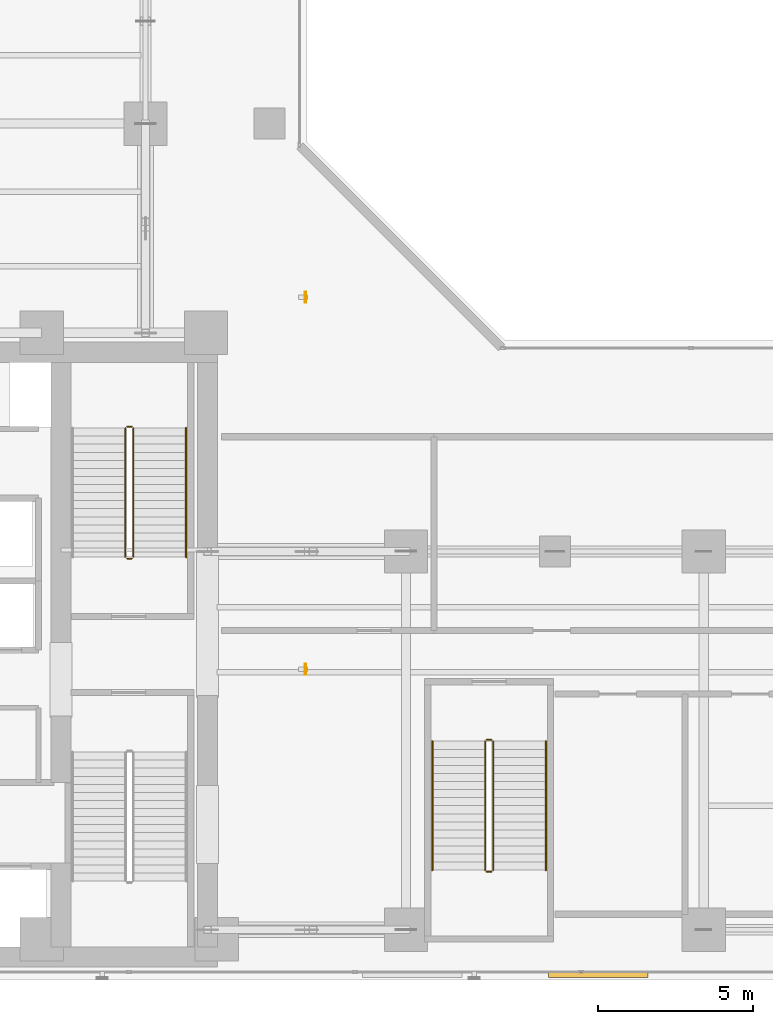
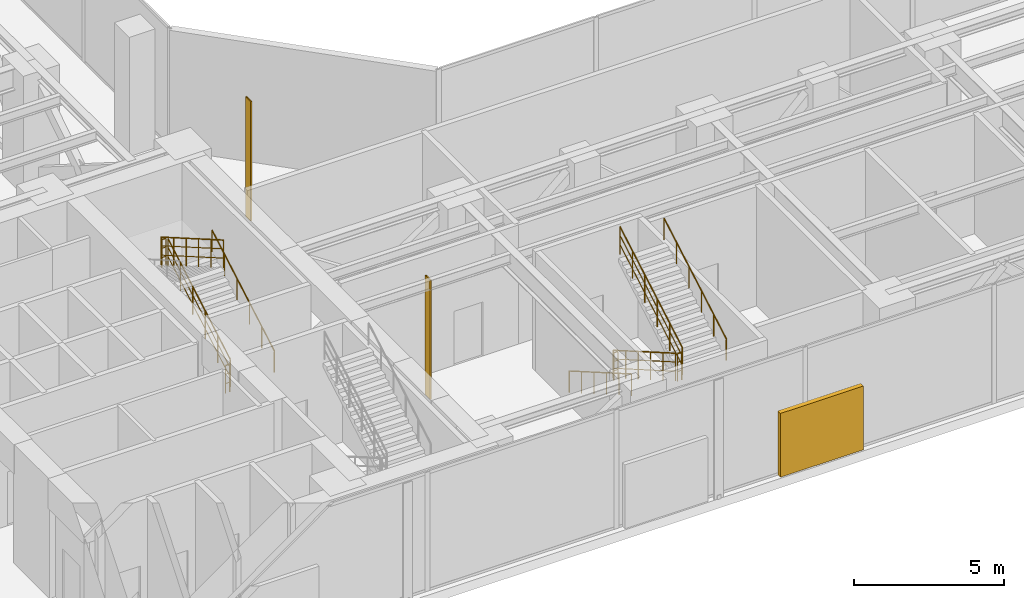
# One storey, part 36 of 37: 11 railings, 3 shading devices.
"""IFC4 building model written with IfcOpenShell, lengths in metres."""

from ifc_helpers import new_model, si_unit, direction, frame, origin, origin_with_axes, origin_2d, place, context, subcontext, project, spatial, rectangle, hollow_rectangle, circle, extrude, source, transform, mapped, material, material_profile, profile_set, type_object, element, save


model = new_model("IFC4")

# Units and contexts
model_context = context("Model", 3, precision=1e-05, world=origin(), true_north=direction((0.0, 1.0)))
body_context = subcontext(model_context, "Body", "Model", "MODEL_VIEW")
ifc_project = project(units=[si_unit("LENGTHUNIT", "METRE"), si_unit("AREAUNIT", "SQUARE_METRE"), si_unit("VOLUMEUNIT", "CUBIC_METRE"), si_unit("PLANEANGLEUNIT", "RADIAN"), si_unit("MASSUNIT", "GRAM", prefix="KILO")], contexts=[model_context])

# Site, building, storey
site_placement = place(None, origin())
site = spatial("IfcSite", under=ifc_project, at=site_placement, CompositionType="ELEMENT")
building_placement = place(site_placement, origin())
building = spatial("IfcBuilding", under=site, at=building_placement, Name="Kolvaren Waterfront Exchange", CompositionType="ELEMENT")
storey_placement = place(building_placement, frame((0.0, 0.0, 141.10009765625)))
storey = spatial("IfcBuildingStorey", under=building, at=storey_placement, Name="L36", CompositionType="ELEMENT", Elevation=141.10009765625)

# Shading devices
ifc_material_1 = material(Name="Anodised bronze aluminium 6063-T6", Category="aluminium")
ifc_material_profile = material_profile(ifc_material_1, hollow_rectangle(XDim=0.06005859375, YDim=0.35009765625, WallThickness=0.0048828125, at=origin_2d()), Name="BRZ-FIN-350x60x5")
ifc_profile_set = profile_set([ifc_material_profile], Name="Anodised bronze aluminium 6063-T6")
shading_device_type_1 = type_object("IfcShadingDeviceType", Name="ARC-FIN-350", PredefinedType="USERDEFINED", material=ifc_profile_set)
for number, where, z_axis, x_axis, name in (
    (1, (23.9599609375, 13.60009765625, 0.0), (0.0, 0.0, 1.0), (1.0, 0.0, 0.0), "L36 anodised bronze solar shading fin FIN-L36-E1"),
    (2, (23.9599609375, 25.60009765625, 0.0), (0.0, 0.0, 1.0), (1.0, 0.0, 0.0), "L36 anodised bronze solar shading fin FIN-L36-E2"),
):
    element("IfcShadingDevice", number, at=place(storey_placement, frame(where, z_axis=z_axis, x_axis=x_axis)), inside=storey, type_object=shading_device_type_1, Name=name, ObjectType="SOLAR FIN", PredefinedType="USERDEFINED", context=body_context, shape_type="SweptSolid", body=[
        extrude(hollow_rectangle(XDim=0.06005859375, YDim=0.35009765625, WallThickness=0.0048828125, at=origin_2d()), origin(), (0.0, 0.0, 1.0), 4.85986328125),
    ])

# Railings
ifc_material_2 = material(Name="Stainless steel 316", Category="steel")
railing_type_1 = type_object("IfcRailingType", Name="ARC-GUARD-STAIR", PredefinedType="GUARDRAIL", material=ifc_material_2)
railing_1_placement = place(storey_placement, frame((18.409912109375, 17.219970703125, 0.14990234375)))
element("IfcRailing", 3, at=railing_1_placement, inside=storey, type_object=railing_type_1, Name="L36 ST2 stair guard 1", PredefinedType="GUARDRAIL", context=body_context, shape_type="SweptSolid", body=[
    extrude(circle(Radius=0.02392578125, at=origin_2d()), frame((0.0, 0.0, 1.1259765625), z_axis=(0.0, 0.866189817626, 0.499715118684), x_axis=(-1.0, 0.0, 0.0)), (0.0, 0.0, 1.0), 4.802490234375),
    extrude(circle(Radius=0.01611328125, at=origin_2d()), frame((0.0, 0.0, 0.390869140625), z_axis=(0.0, 0.866189817626, 0.499715118684), x_axis=(-1.0, 0.0, 0.0)), (0.0, 0.0, 1.0), 4.802490234375),
    extrude(circle(Radius=0.01611328125, at=origin_2d()), frame((0.0, 0.0, 0.7705078125), z_axis=(0.0, 0.866189817626, 0.499715118684), x_axis=(-1.0, 0.0, 0.0)), (0.0, 0.0, 1.0), 4.802490234375),
    extrude(circle(Radius=0.02099609375, at=origin_2d()), origin(), (0.0, 0.0, 1.0), 1.101806640625),
    extrude(circle(Radius=0.02099609375, at=origin_2d()), frame((0.0, 0.83203125, 0.47998046875)), (0.0, 0.0, 1.0), 1.101806640625),
    extrude(circle(Radius=0.02099609375, at=origin_2d()), frame((0.0, 1.6640625, 0.9599609375)), (0.0, 0.0, 1.0), 1.101806640625),
    extrude(circle(Radius=0.02099609375, at=origin_2d()), frame((0.0, 2.495849609375, 1.43994140625)), (0.0, 0.0, 1.0), 1.101806640625),
    extrude(circle(Radius=0.02099609375, at=origin_2d()), frame((0.0, 3.327880859375, 1.919921875)), (0.0, 0.0, 1.0), 1.101806640625),
    extrude(circle(Radius=0.02099609375, at=origin_2d()), frame((0.0, 4.159912109375, 2.39990234375)), (0.0, 0.0, 1.0), 1.101806640625),
])
railing_2_placement = place(storey_placement, frame((18.360107421875, 21.429931640625, 2.5498046875)))
element("IfcRailing", 4, at=railing_2_placement, inside=storey, type_object=railing_type_1, Name="L36 ST2 stair guard 2", PredefinedType="GUARDRAIL", context=body_context, shape_type="SweptSolid", body=[
    extrude(circle(Radius=0.02392578125, at=origin_2d()), frame((0.0, 0.0, 1.1259765625), z_axis=(-1.0, 0.0, 0.0), x_axis=(0.0, -1.0, 0.0)), (0.0, 0.0, 1.0), 0.16015625),
    extrude(circle(Radius=0.01611328125, at=origin_2d()), frame((0.0, 0.0, 0.390869140625), z_axis=(-1.0, 0.0, 0.0), x_axis=(0.0, -1.0, 0.0)), (0.0, 0.0, 1.0), 0.16015625),
    extrude(circle(Radius=0.01611328125, at=origin_2d()), frame((0.0, 0.0, 0.7705078125), z_axis=(-1.0, 0.0, 0.0), x_axis=(0.0, -1.0, 0.0)), (0.0, 0.0, 1.0), 0.16015625),
    extrude(circle(Radius=0.02099609375, at=origin_2d()), origin(), (0.0, 0.0, 1.0), 1.101806640625),
    extrude(circle(Radius=0.02099609375, at=origin_2d()), frame((-0.16015625, 0.0, 0.0)), (0.0, 0.0, 1.0), 1.101806640625),
])
railing_3_placement = place(storey_placement, frame((18.14990234375, 21.3798828125, 2.699951171875)))
element("IfcRailing", 5, at=railing_3_placement, inside=storey, type_object=railing_type_1, Name="L36 ST2 stair guard 3", PredefinedType="GUARDRAIL", context=body_context, shape_type="SweptSolid", body=[
    extrude(circle(Radius=0.02392578125, at=origin_2d()), frame((0.0, 0.0, 1.1259765625), z_axis=(0.0, -0.866189817626, 0.499715118684), x_axis=(1.0, 0.0, 0.0)), (0.0, 0.0, 1.0), 4.802490234375),
    extrude(circle(Radius=0.01611328125, at=origin_2d()), frame((0.0, 0.0, 0.390869140625), z_axis=(0.0, -0.866189817626, 0.499715118684), x_axis=(1.0, 0.0, 0.0)), (0.0, 0.0, 1.0), 4.802490234375),
    extrude(circle(Radius=0.01611328125, at=origin_2d()), frame((0.0, 0.0, 0.7705078125), z_axis=(0.0, -0.866189817626, 0.499715118684), x_axis=(1.0, 0.0, 0.0)), (0.0, 0.0, 1.0), 4.802490234375),
    extrude(circle(Radius=0.02099609375, at=origin_2d()), origin(), (0.0, 0.0, 1.0), 1.101806640625),
    extrude(circle(Radius=0.02099609375, at=origin_2d()), frame((0.0, -0.83203125, 0.47998046875)), (0.0, 0.0, 1.0), 1.101806640625),
    extrude(circle(Radius=0.02099609375, at=origin_2d()), frame((0.0, -1.6640625, 0.9599609375)), (0.0, 0.0, 1.0), 1.101806640625),
    extrude(circle(Radius=0.02099609375, at=origin_2d()), frame((0.0, -2.495849609375, 1.43994140625)), (0.0, 0.0, 1.0), 1.101806640625),
    extrude(circle(Radius=0.02099609375, at=origin_2d()), frame((0.0, -3.327880859375, 1.919921875)), (0.0, 0.0, 1.0), 1.101806640625),
    extrude(circle(Radius=0.02099609375, at=origin_2d()), frame((0.0, -4.159912109375, 2.39990234375)), (0.0, 0.0, 1.0), 1.101806640625),
])
railing_4_placement = place(storey_placement, frame((18.360107421875, 17.169921875, 0.0)))
element("IfcRailing", 6, at=railing_4_placement, inside=storey, type_object=railing_type_1, Name="L36 ST2 stair guard 4", PredefinedType="GUARDRAIL", context=body_context, shape_type="SweptSolid", body=[
    extrude(circle(Radius=0.02392578125, at=origin_2d()), frame((0.0, 0.0, 1.1259765625), z_axis=(-1.0, 0.0, 0.0), x_axis=(0.0, -1.0, 0.0)), (0.0, 0.0, 1.0), 0.16015625),
    extrude(circle(Radius=0.01611328125, at=origin_2d()), frame((0.0, 0.0, 0.390869140625), z_axis=(-1.0, 0.0, 0.0), x_axis=(0.0, -1.0, 0.0)), (0.0, 0.0, 1.0), 0.16015625),
    extrude(circle(Radius=0.01611328125, at=origin_2d()), frame((0.0, 0.0, 0.7705078125), z_axis=(-1.0, 0.0, 0.0), x_axis=(0.0, -1.0, 0.0)), (0.0, 0.0, 1.0), 0.16015625),
    extrude(circle(Radius=0.02099609375, at=origin_2d()), origin(), (0.0, 0.0, 1.0), 1.101806640625),
    extrude(circle(Radius=0.02099609375, at=origin_2d()), frame((-0.16015625, 0.0, 0.0)), (0.0, 0.0, 1.0), 1.101806640625),
])
railing_5_placement = place(storey_placement, frame((29.75, 11.280029296875, 0.14990234375)))
element("IfcRailing", 7, at=railing_5_placement, inside=storey, type_object=railing_type_1, Name="L36 ST3 stair guard 1", PredefinedType="GUARDRAIL", context=body_context, shape_type="SweptSolid", body=[
    extrude(circle(Radius=0.02392578125, at=origin_2d()), frame((0.0, 0.0, 1.1259765625), z_axis=(0.0, -0.866189817626, 0.499715118684), x_axis=(1.0, 0.0, 0.0)), (0.0, 0.0, 1.0), 4.802490234375),
    extrude(circle(Radius=0.01611328125, at=origin_2d()), frame((0.0, 0.0, 0.390869140625), z_axis=(0.0, -0.866189817626, 0.499715118684), x_axis=(1.0, 0.0, 0.0)), (0.0, 0.0, 1.0), 4.802490234375),
    extrude(circle(Radius=0.01611328125, at=origin_2d()), frame((0.0, 0.0, 0.7705078125), z_axis=(0.0, -0.866189817626, 0.499715118684), x_axis=(1.0, 0.0, 0.0)), (0.0, 0.0, 1.0), 4.802490234375),
    extrude(circle(Radius=0.02099609375, at=origin_2d()), origin(), (0.0, 0.0, 1.0), 1.101806640625),
    extrude(circle(Radius=0.02099609375, at=origin_2d()), frame((0.0, -0.83203125, 0.47998046875)), (0.0, 0.0, 1.0), 1.101806640625),
    extrude(circle(Radius=0.02099609375, at=origin_2d()), frame((0.0, -1.6640625, 0.9599609375)), (0.0, 0.0, 1.0), 1.101806640625),
    extrude(circle(Radius=0.02099609375, at=origin_2d()), frame((0.0, -2.495849609375, 1.43994140625)), (0.0, 0.0, 1.0), 1.101806640625),
    extrude(circle(Radius=0.02099609375, at=origin_2d()), frame((0.0, -3.327880859375, 1.919921875)), (0.0, 0.0, 1.0), 1.101806640625),
    extrude(circle(Radius=0.02099609375, at=origin_2d()), frame((0.0, -4.159912109375, 2.39990234375)), (0.0, 0.0, 1.0), 1.101806640625),
])
railing_6_placement = place(storey_placement, frame((29.800048828125, 7.070068359375, 2.5498046875)))
element("IfcRailing", 8, at=railing_6_placement, inside=storey, type_object=railing_type_1, Name="L36 ST3 stair guard 2", PredefinedType="GUARDRAIL", context=body_context, shape_type="SweptSolid", body=[
    extrude(circle(Radius=0.02392578125, at=origin_2d()), frame((0.0, 0.0, 1.1259765625), z_axis=(1.0, 0.0, 0.0), x_axis=(0.0, 1.0, 0.0)), (0.0, 0.0, 1.0), 0.159912109375),
    extrude(circle(Radius=0.01611328125, at=origin_2d()), frame((0.0, 0.0, 0.390869140625), z_axis=(1.0, 0.0, 0.0), x_axis=(0.0, 1.0, 0.0)), (0.0, 0.0, 1.0), 0.159912109375),
    extrude(circle(Radius=0.01611328125, at=origin_2d()), frame((0.0, 0.0, 0.7705078125), z_axis=(1.0, 0.0, 0.0), x_axis=(0.0, 1.0, 0.0)), (0.0, 0.0, 1.0), 0.159912109375),
    extrude(circle(Radius=0.02099609375, at=origin_2d()), origin(), (0.0, 0.0, 1.0), 1.101806640625),
    extrude(circle(Radius=0.02099609375, at=origin_2d()), frame((0.159912109375, 0.0, 0.0)), (0.0, 0.0, 1.0), 1.101806640625),
])
railing_7_placement = place(storey_placement, frame((30.010009765625, 7.1201171875, 2.699951171875)))
element("IfcRailing", 9, at=railing_7_placement, inside=storey, type_object=railing_type_1, Name="L36 ST3 stair guard 3", PredefinedType="GUARDRAIL", context=body_context, shape_type="SweptSolid", body=[
    extrude(circle(Radius=0.02392578125, at=origin_2d()), frame((0.0, 0.0, 1.1259765625), z_axis=(0.0, 0.866189817626, 0.499715118684), x_axis=(-1.0, 0.0, 0.0)), (0.0, 0.0, 1.0), 4.802490234375),
    extrude(circle(Radius=0.01611328125, at=origin_2d()), frame((0.0, 0.0, 0.390869140625), z_axis=(0.0, 0.866189817626, 0.499715118684), x_axis=(-1.0, 0.0, 0.0)), (0.0, 0.0, 1.0), 4.802490234375),
    extrude(circle(Radius=0.01611328125, at=origin_2d()), frame((0.0, 0.0, 0.7705078125), z_axis=(0.0, 0.866189817626, 0.499715118684), x_axis=(-1.0, 0.0, 0.0)), (0.0, 0.0, 1.0), 4.802490234375),
    extrude(circle(Radius=0.02099609375, at=origin_2d()), origin(), (0.0, 0.0, 1.0), 1.101806640625),
    extrude(circle(Radius=0.02099609375, at=origin_2d()), frame((0.0, 0.83203125, 0.47998046875)), (0.0, 0.0, 1.0), 1.101806640625),
    extrude(circle(Radius=0.02099609375, at=origin_2d()), frame((0.0, 1.6640625, 0.9599609375)), (0.0, 0.0, 1.0), 1.101806640625),
    extrude(circle(Radius=0.02099609375, at=origin_2d()), frame((0.0, 2.495849609375, 1.43994140625)), (0.0, 0.0, 1.0), 1.101806640625),
    extrude(circle(Radius=0.02099609375, at=origin_2d()), frame((0.0, 3.327880859375, 1.919921875)), (0.0, 0.0, 1.0), 1.101806640625),
    extrude(circle(Radius=0.02099609375, at=origin_2d()), frame((0.0, 4.159912109375, 2.39990234375)), (0.0, 0.0, 1.0), 1.101806640625),
])
railing_8_placement = place(storey_placement, frame((29.800048828125, 11.330078125, 0.0)))
element("IfcRailing", 10, at=railing_8_placement, inside=storey, type_object=railing_type_1, Name="L36 ST3 stair guard 4", PredefinedType="GUARDRAIL", context=body_context, shape_type="SweptSolid", body=[
    extrude(circle(Radius=0.02392578125, at=origin_2d()), frame((0.0, 0.0, 1.1259765625), z_axis=(1.0, 0.0, 0.0), x_axis=(0.0, 1.0, 0.0)), (0.0, 0.0, 1.0), 0.159912109375),
    extrude(circle(Radius=0.01611328125, at=origin_2d()), frame((0.0, 0.0, 0.390869140625), z_axis=(1.0, 0.0, 0.0), x_axis=(0.0, 1.0, 0.0)), (0.0, 0.0, 1.0), 0.159912109375),
    extrude(circle(Radius=0.01611328125, at=origin_2d()), frame((0.0, 0.0, 0.7705078125), z_axis=(1.0, 0.0, 0.0), x_axis=(0.0, 1.0, 0.0)), (0.0, 0.0, 1.0), 0.159912109375),
    extrude(circle(Radius=0.02099609375, at=origin_2d()), origin(), (0.0, 0.0, 1.0), 1.101806640625),
    extrude(circle(Radius=0.02099609375, at=origin_2d()), frame((0.159912109375, 0.0, 0.0)), (0.0, 0.0, 1.0), 1.101806640625),
])
railing_type_2 = type_object("IfcRailingType", Name="ARC-HANDRAIL-900", PredefinedType="HANDRAIL", material=ifc_material_2)
railing_9_placement = place(storey_placement, frame((20.110107421875, 17.219970703125, 0.14990234375)))
element("IfcRailing", 11, at=railing_9_placement, inside=storey, type_object=railing_type_2, Name="L36 ST2 stair handrail 1", PredefinedType="HANDRAIL", context=body_context, shape_type="SweptSolid", body=[
    extrude(circle(Radius=0.02392578125, at=origin_2d()), frame((0.0, 0.0, 0.8759765625), z_axis=(0.0, 0.866189817626, 0.499715118684), x_axis=(-1.0, 0.0, 0.0)), (0.0, 0.0, 1.0), 4.802490234375),
    extrude(circle(Radius=0.02099609375, at=origin_2d()), origin(), (0.0, 0.0, 1.0), 0.851806640625),
    extrude(circle(Radius=0.02099609375, at=origin_2d()), frame((0.0, 0.83203125, 0.47998046875)), (0.0, 0.0, 1.0), 0.851806640625),
    extrude(circle(Radius=0.02099609375, at=origin_2d()), frame((0.0, 1.6640625, 0.9599609375)), (0.0, 0.0, 1.0), 0.851806640625),
    extrude(circle(Radius=0.02099609375, at=origin_2d()), frame((0.0, 2.495849609375, 1.43994140625)), (0.0, 0.0, 1.0), 0.851806640625),
    extrude(circle(Radius=0.02099609375, at=origin_2d()), frame((0.0, 3.327880859375, 1.919921875)), (0.0, 0.0, 1.0), 0.851806640625),
    extrude(circle(Radius=0.02099609375, at=origin_2d()), frame((0.0, 4.159912109375, 2.39990234375)), (0.0, 0.0, 1.0), 0.851806640625),
])
railing_10_placement = place(storey_placement, frame((28.050048828125, 11.280029296875, 0.14990234375)))
element("IfcRailing", 12, at=railing_10_placement, inside=storey, type_object=railing_type_2, Name="L36 ST3 stair handrail 1", PredefinedType="HANDRAIL", context=body_context, shape_type="SweptSolid", body=[
    extrude(circle(Radius=0.02392578125, at=origin_2d()), frame((0.0, 0.0, 0.8759765625), z_axis=(0.0, -0.866189817626, 0.499715118684), x_axis=(1.0, 0.0, 0.0)), (0.0, 0.0, 1.0), 4.802490234375),
    extrude(circle(Radius=0.02099609375, at=origin_2d()), origin(), (0.0, 0.0, 1.0), 0.851806640625),
    extrude(circle(Radius=0.02099609375, at=origin_2d()), frame((0.0, -0.83203125, 0.47998046875)), (0.0, 0.0, 1.0), 0.851806640625),
    extrude(circle(Radius=0.02099609375, at=origin_2d()), frame((0.0, -1.6640625, 0.9599609375)), (0.0, 0.0, 1.0), 0.851806640625),
    extrude(circle(Radius=0.02099609375, at=origin_2d()), frame((0.0, -2.495849609375, 1.43994140625)), (0.0, 0.0, 1.0), 0.851806640625),
    extrude(circle(Radius=0.02099609375, at=origin_2d()), frame((0.0, -3.327880859375, 1.919921875)), (0.0, 0.0, 1.0), 0.851806640625),
    extrude(circle(Radius=0.02099609375, at=origin_2d()), frame((0.0, -4.159912109375, 2.39990234375)), (0.0, 0.0, 1.0), 0.851806640625),
])
railing_11_placement = place(storey_placement, frame((31.7099609375, 7.1201171875, 2.699951171875)))
element("IfcRailing", 13, at=railing_11_placement, inside=storey, type_object=railing_type_2, Name="L36 ST3 stair handrail 2", PredefinedType="HANDRAIL", context=body_context, shape_type="SweptSolid", body=[
    extrude(circle(Radius=0.02392578125, at=origin_2d()), frame((0.0, 0.0, 0.8759765625), z_axis=(0.0, 0.866189817626, 0.499715118684), x_axis=(-1.0, 0.0, 0.0)), (0.0, 0.0, 1.0), 4.802490234375),
    extrude(circle(Radius=0.02099609375, at=origin_2d()), origin(), (0.0, 0.0, 1.0), 0.851806640625),
    extrude(circle(Radius=0.02099609375, at=origin_2d()), frame((0.0, 0.83203125, 0.47998046875)), (0.0, 0.0, 1.0), 0.851806640625),
    extrude(circle(Radius=0.02099609375, at=origin_2d()), frame((0.0, 1.6640625, 0.9599609375)), (0.0, 0.0, 1.0), 0.851806640625),
    extrude(circle(Radius=0.02099609375, at=origin_2d()), frame((0.0, 2.495849609375, 1.43994140625)), (0.0, 0.0, 1.0), 0.851806640625),
    extrude(circle(Radius=0.02099609375, at=origin_2d()), frame((0.0, 3.327880859375, 1.919921875)), (0.0, 0.0, 1.0), 0.851806640625),
    extrude(circle(Radius=0.02099609375, at=origin_2d()), frame((0.0, 4.159912109375, 2.39990234375)), (0.0, 0.0, 1.0), 0.851806640625),
])

# Shading device
shading_device_type_2 = type_object("IfcShadingDeviceType", Name="ARC-SHD-LOUVRE", PredefinedType="USERDEFINED", material=ifc_material_1)
shared_shape = source(origin_with_axes(), body_context, "Body", "SweptSolid", [
    extrude(rectangle(XDim=3.199951171875, YDim=0.179931640625, at=origin_2d()), origin(), (0.0, 0.0, 1.0), 2.60009765625),
])
shading_device_placement = place(storey_placement, frame((33.39990234375, 3.75, -0.000244140625), z_axis=(0.0, 0.0, 1.0), x_axis=(1.0, 0.0, 0.0)))
element("IfcShadingDevice", 14, at=shading_device_placement, inside=storey, type_object=shading_device_type_2, Name="L36 acoustic weather intake louvre 4", ObjectType="LOUVRE", PredefinedType="USERDEFINED", context=body_context, shape_type="MappedRepresentation", body=[
    mapped(shared_shape, transform((0.0, 0.0, 0.0), x_axis=(1.0, 0.0, 0.0), y_axis=(0.0, 1.0, 0.0), z_axis=(0.0, 0.0, 1.0), scale=1.0)),
])

save(model, "model.ifc")
